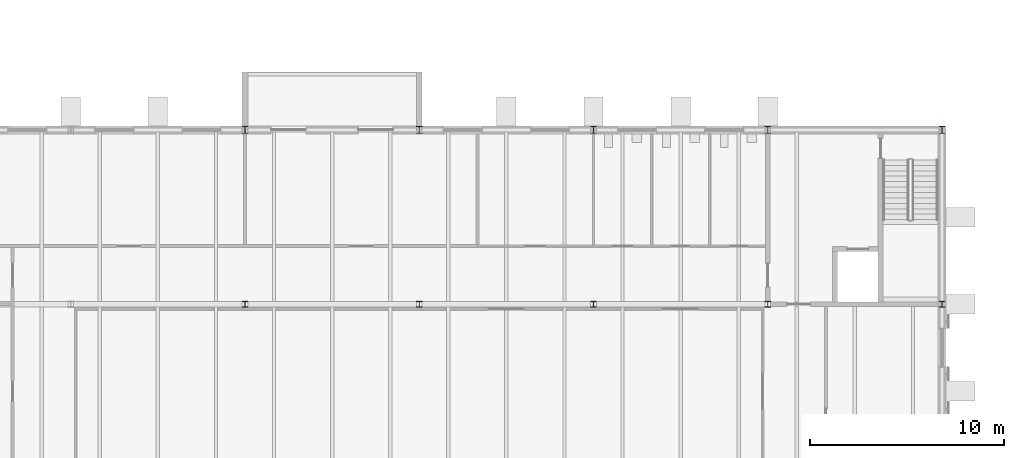
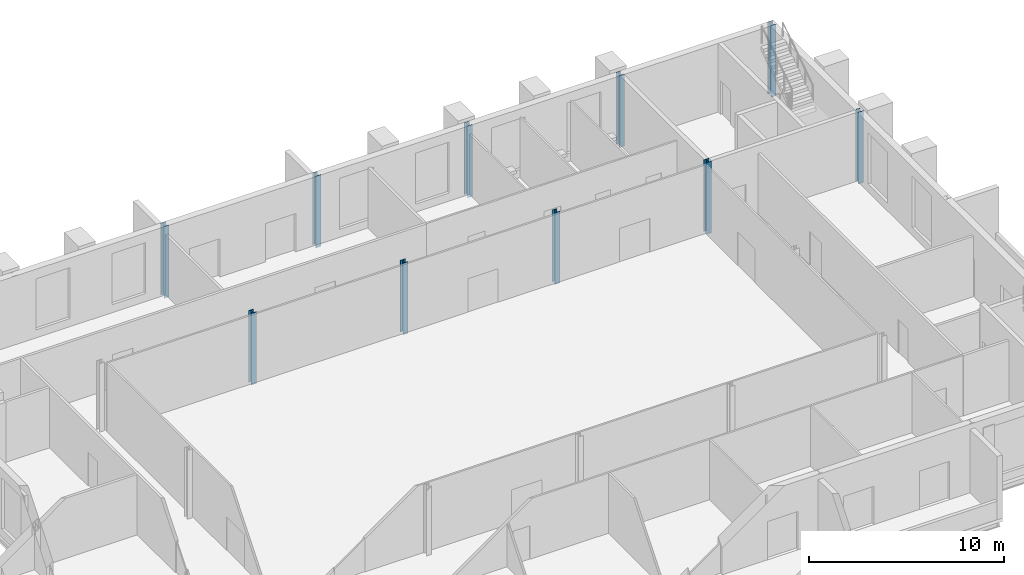
# One storey, part 19 of 134: 10 columns.
"""IFC4 building model written with IfcOpenShell, lengths in metres."""

import ifcopenshell
import ifcopenshell.guid

model = None  # the IFC model being written
_history = None  # IfcOwnerHistory: only IFC2X3 demands one
_inside = {}  # id of a spatial element -> (the spatial element, [elements in it])
_under = {}  # id of a project, library or spatial element -> (it, [spatial elements below it])
_declared = {}  # id of a project -> (the project, [libraries it declares])
_typed = {}  # id of a type object -> (the type object, [elements of that type])
_made_of = {}  # id of a material, layer set ... -> (it, [elements and type objects made of it])


def new_model(schema):
    """Start an empty IFC model of exactly this schema.

    Asked for "IFC4X3", IfcOpenShell would pick the latest addendum, in which some entities
    have other attributes; the version numbers below select the first issue.
    IFC2X3 requires an IfcOwnerHistory on every rooted entity: one is made here for all.
    """
    global model, _history
    if schema == "IFC4X3":
        model = ifcopenshell.file(schema_version=(4, 3, 0, 0))
    else:
        model = ifcopenshell.file(schema=schema)
    _inside.clear()
    _under.clear()
    _declared.clear()
    _typed.clear()
    _made_of.clear()
    _history = None
    if model.schema == "IFC2X3":
        org = make("IfcOrganization", Name="unknown")
        user = make(
            "IfcPersonAndOrganization",
            ThePerson=make("IfcPerson", FamilyName="unknown"),
            TheOrganization=org,
        )
        app = make(
            "IfcApplication",
            ApplicationDeveloper=org,
            Version="unknown",
            ApplicationFullName="unknown",
            ApplicationIdentifier="unknown",
        )
        _history = make(
            "IfcOwnerHistory",
            OwningUser=user,
            OwningApplication=app,
            ChangeAction="ADDED",
            CreationDate=0,
        )
    return model


def make(cls, **values):
    """One entity of the class cls with the attributes given. An attribute that is None is left unset."""
    return model.create_entity(
        cls, **{name: value for name, value in values.items() if value is not None}
    )


def rooted(cls, **values):
    """An entity with a GlobalId (a new one), such as an element, a storey or a relation."""
    return make(cls, GlobalId=ifcopenshell.guid.new(), OwnerHistory=_history, **values)


def si_unit(unit_type, name, prefix=None):
    """IfcSIUnit, for example si_unit("LENGTHUNIT", "METRE", prefix="MILLI")."""
    return make("IfcSIUnit", UnitType=unit_type, Prefix=prefix, Name=name)


def assignment(units):
    """IfcUnitAssignment: the units of a project."""
    return None if units is None else make("IfcUnitAssignment", Units=units)


def point(xyz):
    """IfcCartesianPoint."""
    return None if xyz is None else make("IfcCartesianPoint", Coordinates=xyz)


def direction(xyz):
    """IfcDirection."""
    return None if xyz is None else make("IfcDirection", DirectionRatios=xyz)


def frame(location, z_axis=None, x_axis=None):
    """IfcAxis2Placement3D, a coordinate frame: its origin and axes. An axis left out is left unset."""
    return make(
        "IfcAxis2Placement3D",
        Location=point(location),
        Axis=direction(z_axis),
        RefDirection=direction(x_axis),
    )


def frame_2d(location, x_axis=None):
    """IfcAxis2Placement2D, a coordinate frame in the plane: its origin and x axis."""
    return make(
        "IfcAxis2Placement2D", Location=point(location), RefDirection=direction(x_axis)
    )


def origin():
    """The frame at (0, 0, 0) with its axes left unset."""
    return frame((0.0, 0.0, 0.0))


def origin_2d():
    """The frame at (0, 0) in the plane with its x axis left unset."""
    return frame_2d((0.0, 0.0))


def place(relative_to, where):
    """IfcLocalPlacement: puts the frame where relative to a parent placement (None: the world)."""
    return make(
        "IfcLocalPlacement", PlacementRelTo=relative_to, RelativePlacement=where
    )


def context(
    kind, dimensions, precision=None, world=None, true_north=None, identifier=None
):
    """IfcGeometricRepresentationContext, for example the 3D "Model" context."""
    return make(
        "IfcGeometricRepresentationContext",
        ContextIdentifier=identifier,
        ContextType=kind,
        CoordinateSpaceDimension=dimensions,
        Precision=precision,
        WorldCoordinateSystem=world,
        TrueNorth=true_north,
    )


def subcontext(parent, identifier, kind, view, scale=None):
    """IfcGeometricRepresentationSubContext, for example "Body" below "Model"."""
    return make(
        "IfcGeometricRepresentationSubContext",
        ContextIdentifier=identifier,
        ContextType=kind,
        ParentContext=parent,
        TargetScale=scale,
        TargetView=view,
    )


def project(units=None, contexts=None):
    """IfcProject with its units and contexts."""
    return rooted(
        "IfcProject",
        Name="project",
        RepresentationContexts=contexts,
        UnitsInContext=assignment(units),
    )


def spatial(cls, under=None, at=None, **own):
    """A site, building, storey or space (cls), placed at a placement, below another one or the project."""
    s = rooted(cls, ObjectPlacement=at, **own)
    if under is not None:
        _under.setdefault(under.id(), (under, []))[1].append(s)
    return s


def profile(cls, at=None, kind="AREA", **sizes):
    """A parametric profile (cls). Its sizes go by their IFC names, for example OverallWidth=200.0."""
    return make(cls, ProfileType=kind, Position=at, **sizes)


def i_section(**sizes):
    """IfcIShapeProfileDef."""
    return profile("IfcIShapeProfileDef", **sizes)


def extrude(swept, where, along, depth):
    """IfcExtrudedAreaSolid: the profile swept, set in the frame where, extruded along a direction by depth."""
    return make(
        "IfcExtrudedAreaSolid",
        SweptArea=swept,
        Position=where,
        ExtrudedDirection=direction(along),
        Depth=depth,
    )


def shape(context_of_items, identifier, shape_type, items):
    """IfcShapeRepresentation: the items that make up one representation, for example the "Body"."""
    return make(
        "IfcShapeRepresentation",
        ContextOfItems=context_of_items,
        RepresentationIdentifier=identifier,
        RepresentationType=shape_type,
        Items=items,
    )


def material(Name=None, Category=None):
    """IfcMaterial."""
    return make("IfcMaterial", Name=Name, Category=Category)


def material_profile(
    of_material, cross_section, Name=None, Category=None, Priority=None
):
    """IfcMaterialProfile: a cross section and its material."""
    return make(
        "IfcMaterialProfile",
        Name=Name,
        Material=of_material,
        Profile=cross_section,
        Priority=Priority,
        Category=Category,
    )


def profile_set(profiles, Name=None, composite=None):
    """IfcMaterialProfileSet."""
    return make(
        "IfcMaterialProfileSet",
        Name=Name,
        MaterialProfiles=profiles,
        CompositeProfile=composite,
    )


def made_of(thing, what):
    """Note that an element or type object is made of a material, layer set ...; save() writes the relation."""
    if what is not None:
        _made_of.setdefault(what.id(), (what, []))[1].append(thing)
    return thing


def type_object(cls, material=None, **own):
    """A type object (cls), such as IfcWallType, which elements share."""
    return made_of(rooted(cls, **own), material)


def element(
    cls,
    number,
    at=None,
    inside=None,
    cuts=None,
    type_object=None,
    material=None,
    context=None,
    identifier="Body",
    shape_type=None,
    held_by="IfcProductDefinitionShape",
    body=None,
    shapes=None,
    **own,
):
    """One element of the class cls, such as IfcWall. Its Tag is "e" and its number.

    at: its placement. inside: the storey or other place that contains it. cuts: it is an
    opening in that element (IfcRelVoidsElement). A single representation is given by context,
    identifier, shape_type and body (its items); several are given by shapes. held_by: the class
    of the entity that holds the representations. save() writes the other relations.
    """
    e = rooted(cls, Tag="e%d" % number, ObjectPlacement=at, **own)
    if body is not None:
        shapes = [shape(context, identifier, shape_type, body)]
    if shapes is not None:
        e.Representation = make(held_by, Representations=shapes)
    if inside is not None:
        _inside.setdefault(inside.id(), (inside, []))[1].append(e)
    if cuts is not None:
        rooted(
            "IfcRelVoidsElement", RelatingBuildingElement=cuts, RelatedOpeningElement=e
        )
    if type_object is not None:
        _typed.setdefault(type_object.id(), (type_object, []))[1].append(e)
    return made_of(e, material)


def aggregate(whole, parts):
    """IfcRelAggregates: a whole, such as a stair, and the parts it consists of."""
    return rooted("IfcRelAggregates", RelatingObject=whole, RelatedObjects=parts)


def save(model, path):
    """Write the relations noted so far, then the file.

    IfcRelAggregates (storeys below a building ...), IfcRelContainedInSpatialStructure (elements
    in a storey), IfcRelDefinesByType, IfcRelAssociatesMaterial and IfcRelDeclares: one each for
    every whole, place, type object, material and project.
    """
    for whole, parts in _under.values():
        aggregate(whole, parts)
    for where, things in _inside.values():
        rooted(
            "IfcRelContainedInSpatialStructure",
            RelatedElements=things,
            RelatingStructure=where,
        )
    for kind, things in _typed.values():
        rooted("IfcRelDefinesByType", RelatedObjects=things, RelatingType=kind)
    for what, things in _made_of.values():
        rooted("IfcRelAssociatesMaterial", RelatedObjects=things, RelatingMaterial=what)
    for by, libraries in _declared.values():
        rooted("IfcRelDeclares", RelatingContext=by, RelatedDefinitions=libraries)
    model.write(path)


model = new_model("IFC4")

# Units and contexts
model_context = context("Model", 3, precision=1e-05, world=origin(), true_north=direction((0.0, 1.0)))
body_context = subcontext(model_context, "Body", "Model", "MODEL_VIEW")
ifc_project = project(units=[si_unit("LENGTHUNIT", "METRE"), si_unit("AREAUNIT", "SQUARE_METRE"), si_unit("VOLUMEUNIT", "CUBIC_METRE"), si_unit("PLANEANGLEUNIT", "RADIAN"), si_unit("MASSUNIT", "GRAM", prefix="KILO")], contexts=[model_context])

# Site, building, storey
site_placement = place(None, origin())
site = spatial("IfcSite", under=ifc_project, at=site_placement, CompositionType="ELEMENT")
building_placement = place(site_placement, origin())
building = spatial("IfcBuilding", under=site, at=building_placement, Name="Golden Quay Civic Hall", CompositionType="ELEMENT")
storey_placement = place(building_placement, frame((0.0, 0.0, 5.39990234375)))
storey = spatial("IfcBuildingStorey", under=building, at=storey_placement, Name="L01", CompositionType="ELEMENT", Elevation=5.39990234375)

# Columns
ifc_material_1 = material(Name="Steel S355", Category="steel")
ifc_material_profile_1 = material_profile(ifc_material_1, i_section(OverallWidth=0.300048828125, OverallDepth=0.300048828125, WebThickness=0.010986328125, FlangeThickness=0.01904296875, FilletRadius=0.027099609375, at=origin_2d()), Name="HEB 300")
ifc_profile_set_1 = profile_set([ifc_material_profile_1], Name="Steel S355")
column_type_1 = type_object("IfcColumnType", Name="Steel column HEB 300", PredefinedType="COLUMN", material=ifc_profile_set_1)
for number, where, z_axis, x_axis, name in (
    (1, (135.0, 90.0, -0.199951171875), (0.0, 0.0, 1.0), (1.0, 0.0, 0.0), "L01 column 135/90"),
    (2, (144.0, 90.0, -0.199951171875), (0.0, 0.0, 1.0), (1.0, 0.0, 0.0), "L01 column 144/90"),
    (3, (153.0, 90.0, -0.199951171875), (0.0, 0.0, 1.0), (1.0, 0.0, 0.0), "L01 column 153/90"),
    (4, (162.0, 90.0, -0.199951171875), (0.0, 0.0, 1.0), (1.0, 0.0, 0.0), "L01 column 162/90"),
    (5, (171.0, 90.0, -0.199951171875), (0.0, 0.0, 1.0), (1.0, 0.0, 0.0), "L01 column 171/90"),
):
    element("IfcColumn", number, at=place(storey_placement, frame(where, z_axis=z_axis, x_axis=x_axis)), inside=storey, type_object=column_type_1, Name=name, PredefinedType="COLUMN", context=body_context, shape_type="SweptSolid", body=[
        extrude(i_section(OverallWidth=0.300048828125, OverallDepth=0.300048828125, WebThickness=0.010986328125, FlangeThickness=0.01904296875, FilletRadius=0.027099609375, at=origin_2d()), origin(), (0.0, 0.0, 1.0), 4.5),
    ])
ifc_material_2 = material(Name="Steel S355", Category="steel")
ifc_material_profile_2 = material_profile(ifc_material_2, i_section(OverallWidth=0.300048828125, OverallDepth=0.360107421875, WebThickness=0.012451171875, FlangeThickness=0.0224609375, FilletRadius=0.027099609375, at=origin_2d()), Name="HEB 360")
ifc_profile_set_2 = profile_set([ifc_material_profile_2], Name="Steel S355")
column_type_2 = type_object("IfcColumnType", Name="Steel column HEB 360", PredefinedType="COLUMN", material=ifc_profile_set_2)
for number, where, z_axis, x_axis, name in (
    (6, (135.0, 99.0, -0.199951171875), (0.0, 0.0, 1.0), (1.0, 0.0, 0.0), "L01 column 135/99"),
    (7, (144.0, 99.0, -0.199951171875), (0.0, 0.0, 1.0), (1.0, 0.0, 0.0), "L01 column 144/99"),
    (8, (153.0, 99.0, -0.199951171875), (0.0, 0.0, 1.0), (1.0, 0.0, 0.0), "L01 column 153/99"),
    (9, (162.0, 99.0, -0.199951171875), (0.0, 0.0, 1.0), (1.0, 0.0, 0.0), "L01 column 162/99"),
    (10, (171.0, 99.0, -0.199951171875), (0.0, 0.0, 1.0), (1.0, 0.0, 0.0), "L01 column 171/99"),
):
    element("IfcColumn", number, at=place(storey_placement, frame(where, z_axis=z_axis, x_axis=x_axis)), inside=storey, type_object=column_type_2, Name=name, PredefinedType="COLUMN", context=body_context, shape_type="SweptSolid", body=[
        extrude(i_section(OverallWidth=0.300048828125, OverallDepth=0.360107421875, WebThickness=0.012451171875, FlangeThickness=0.0224609375, FilletRadius=0.027099609375, at=origin_2d()), origin(), (0.0, 0.0, 1.0), 4.5),
    ])

save(model, "model.ifc")
